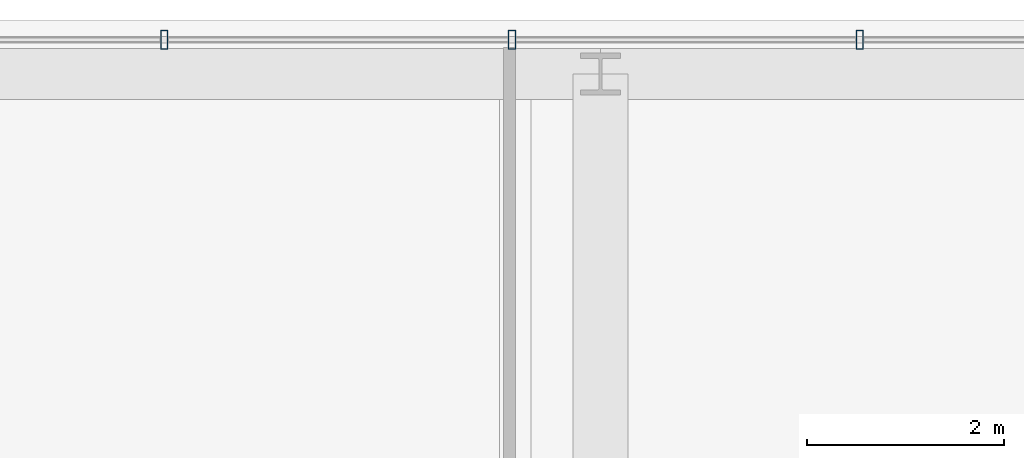
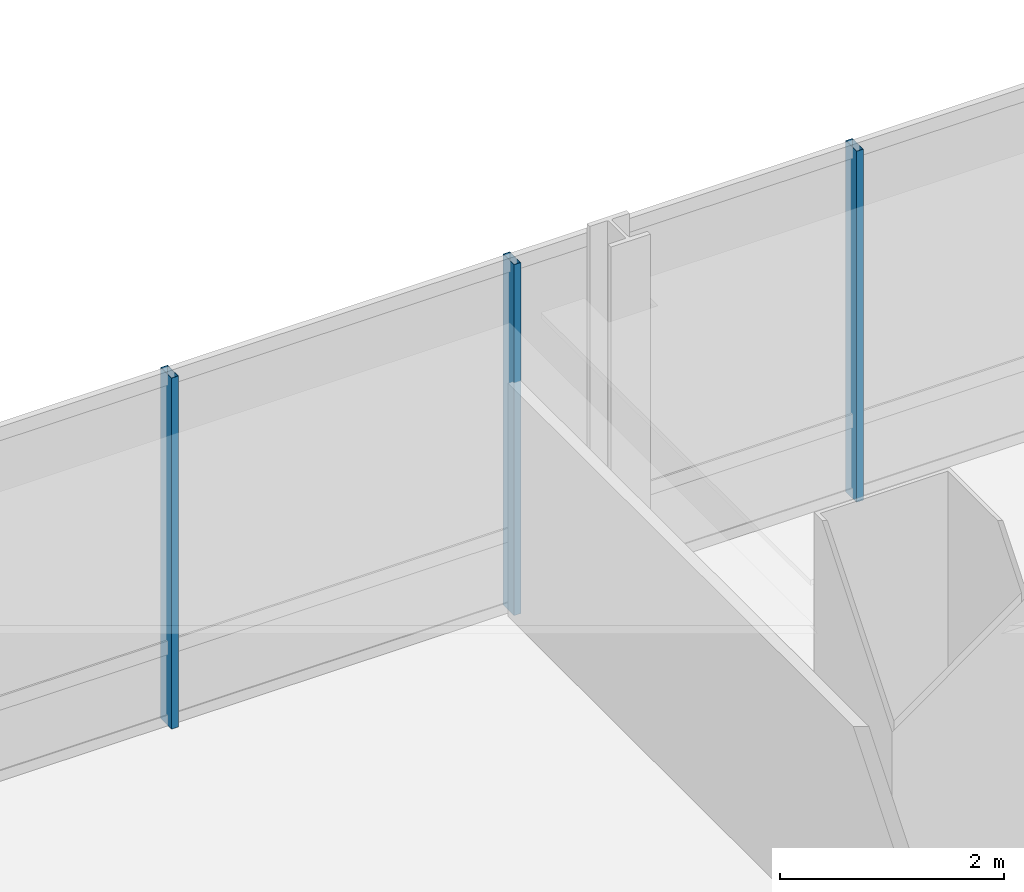
# One storey, part 25 of 38: 3 members, 1 element without a shape of its own.
"""IFC4 building model written with IfcOpenShell, lengths in metres."""

from ifc_helpers import new_model, si_unit, direction, frame, origin, origin_2d, place, context, subcontext, project, spatial, hollow_rectangle, extrude, material, material_profile, profile_set, type_object, element, aggregate, save


model = new_model("IFC4")

# Units and contexts
model_context = context("Model", 3, precision=1e-05, world=origin(), true_north=direction((0.0, 1.0)))
body_context = subcontext(model_context, "Body", "Model", "MODEL_VIEW")
ifc_project = project(units=[si_unit("LENGTHUNIT", "METRE"), si_unit("AREAUNIT", "SQUARE_METRE"), si_unit("VOLUMEUNIT", "CUBIC_METRE"), si_unit("PLANEANGLEUNIT", "RADIAN"), si_unit("MASSUNIT", "GRAM", prefix="KILO")], contexts=[model_context])

# Site, building, storey
site_placement = place(None, origin())
site = spatial("IfcSite", under=ifc_project, at=site_placement, CompositionType="ELEMENT")
building_placement = place(site_placement, origin())
building = spatial("IfcBuilding", under=site, at=building_placement, Name="Punatoya Terracotta Tower", CompositionType="ELEMENT")
storey_placement = place(building_placement, frame((0.0, 0.0, 160.050048828125)))
storey = spatial("IfcBuildingStorey", under=building, at=storey_placement, Name="L37", CompositionType="ELEMENT", Elevation=160.050048828125)

# Curtain wall, members
ifc_material_1 = material(Name="Aluminium 6063-T6 + Double Low-E Glass", Category="aluminium")
curtain_wall_type = type_object("IfcCurtainWallType", Name="CW-M2", PredefinedType="NOTDEFINED", material=ifc_material_1)
curtain_wall_placement = place(storey_placement, origin())
curtain_wall = element("IfcCurtainWall", 1, at=curtain_wall_placement, inside=storey, type_object=curtain_wall_type, Name="L37 Curtain Wall CW-L37-N09-1", PredefinedType="NOTDEFINED")
ifc_material_2 = material(Name="Aluminium 6063-T6", Category="aluminium")
ifc_material_profile = material_profile(ifc_material_2, hollow_rectangle(XDim=0.072021484375, YDim=0.195068359375, WallThickness=0.00439453125, at=origin_2d()))
ifc_profile_set = profile_set([ifc_material_profile], Name="Aluminium 6063-T6")
member_type = type_object("IfcMemberType", Name="CW-MUL-M2", PredefinedType="MULLION", material=ifc_profile_set)
member_1_placement = place(storey_placement, frame((6.43505859375, 23.25, 0.0), z_axis=(0.0, 0.0, 1.0), x_axis=(1.0, 0.0, 0.0)))
member_1 = element("IfcMember", 2, at=member_1_placement, type_object=member_type, Name="CW-L37-N09-1 Mullion 03", PredefinedType="MULLION", context=body_context, shape_type="SweptSolid", body=[
    extrude(hollow_rectangle(XDim=0.072021484375, YDim=0.195068359375, WallThickness=0.00439453125, at=origin_2d()), origin(), (0.0, 0.0, 1.0), 3.829833984375),
])
member_2_placement = place(storey_placement, frame((2.90087890625, 23.25, 0.0), z_axis=(0.0, 0.0, 1.0), x_axis=(1.0, 0.0, 0.0)))
member_2 = element("IfcMember", 3, at=member_2_placement, type_object=member_type, Name="CW-L37-N09-1 Mullion 04", PredefinedType="MULLION", context=body_context, shape_type="SweptSolid", body=[
    extrude(hollow_rectangle(XDim=0.072021484375, YDim=0.195068359375, WallThickness=0.00439453125, at=origin_2d()), origin(), (0.0, 0.0, 1.0), 3.829833984375),
])
member_3_placement = place(storey_placement, frame((-0.633056640625, 23.25, 0.0), z_axis=(0.0, 0.0, 1.0), x_axis=(1.0, 0.0, 0.0)))
member_3 = element("IfcMember", 4, at=member_3_placement, type_object=member_type, Name="CW-L37-N09-1 Mullion 05", PredefinedType="MULLION", context=body_context, shape_type="SweptSolid", body=[
    extrude(hollow_rectangle(XDim=0.072021484375, YDim=0.195068359375, WallThickness=0.00439453125, at=origin_2d()), origin(), (0.0, 0.0, 1.0), 3.829833984375),
])
aggregate(curtain_wall, [member_1, member_2, member_3])

save(model, "model.ifc")
